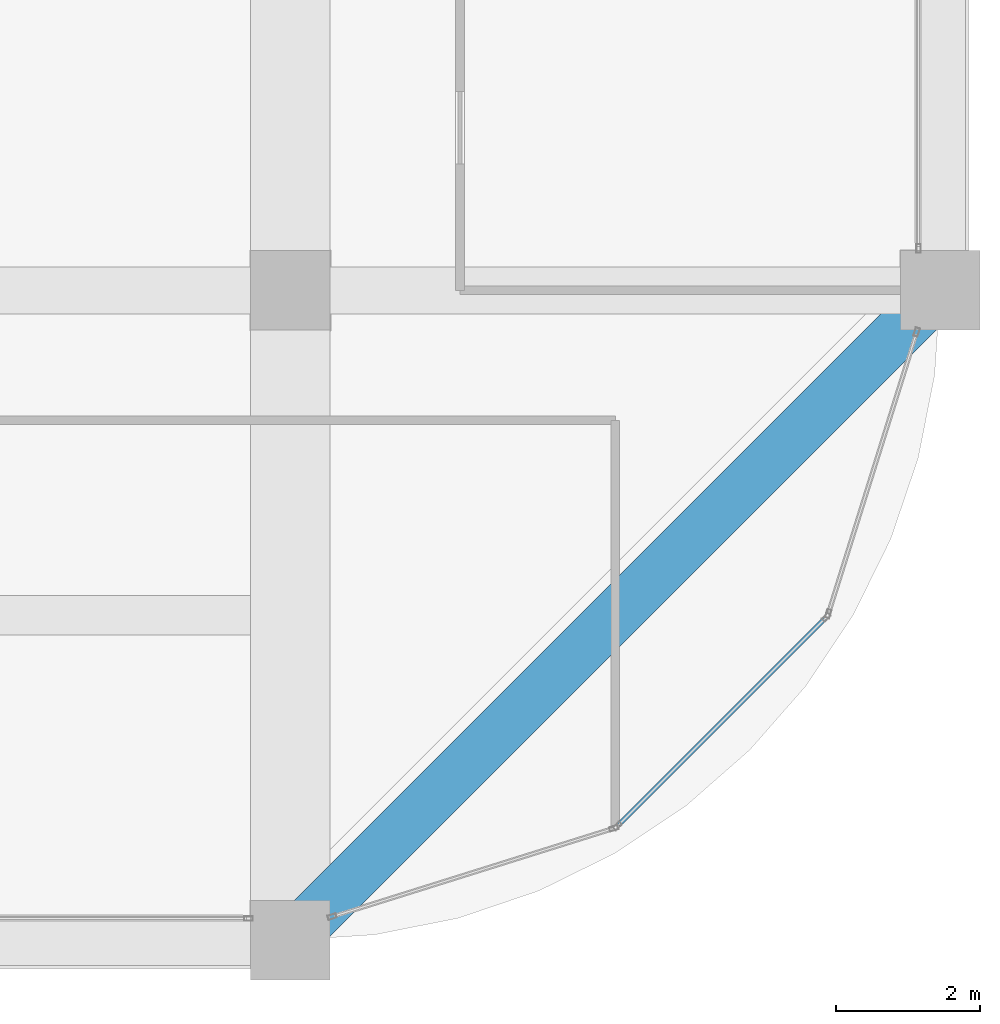
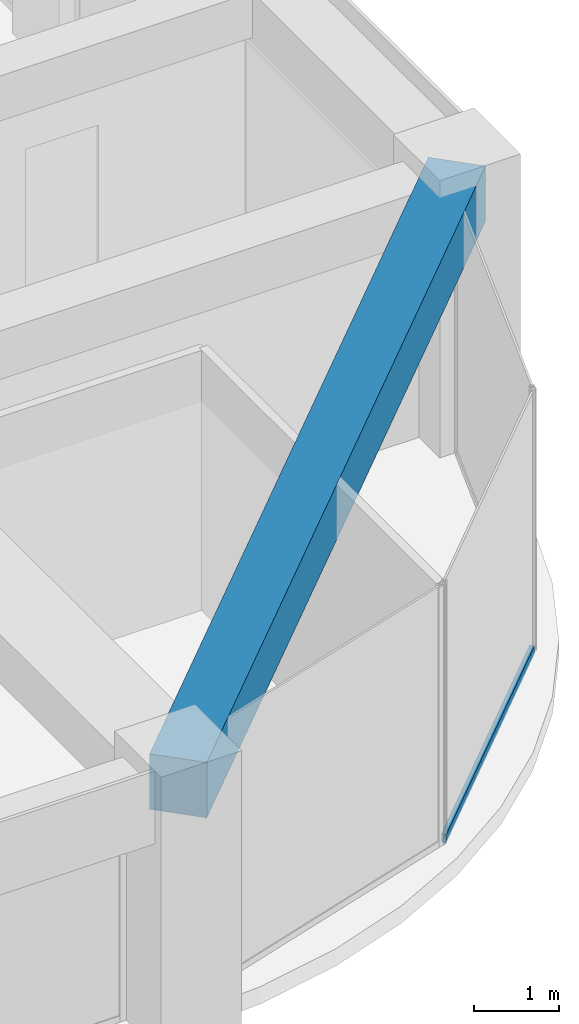
# One storey, part 19 of 44: 1 beam, 1 member, 1 element without a shape of its own.
"""IFC4 building model written with IfcOpenShell, lengths in metres."""

from ifc_helpers import new_model, si_unit, direction, frame, origin, origin_2d, place, context, subcontext, project, spatial, rectangle, hollow_rectangle, extrude, material, material_profile, profile_set, type_object, element, aggregate, save


model = new_model("IFC4")

# Units and contexts
model_context = context("Model", 3, precision=1e-05, world=origin(), true_north=direction((0.0, 1.0)))
body_context = subcontext(model_context, "Body", "Model", "MODEL_VIEW")
ifc_project = project(units=[si_unit("LENGTHUNIT", "METRE"), si_unit("AREAUNIT", "SQUARE_METRE"), si_unit("VOLUMEUNIT", "CUBIC_METRE"), si_unit("PLANEANGLEUNIT", "RADIAN"), si_unit("MASSUNIT", "GRAM", prefix="KILO")], contexts=[model_context])

# Site, building, storey
site_placement = place(None, origin())
site = spatial("IfcSite", under=ifc_project, at=site_placement, CompositionType="ELEMENT")
building_placement = place(site_placement, origin())
building = spatial("IfcBuilding", under=site, at=building_placement, Name="Zorevar Civic Tower", CompositionType="ELEMENT")
storey_placement = place(building_placement, frame((0.0, 0.0, 299.39990234375)))
storey = spatial("IfcBuildingStorey", under=building, at=storey_placement, Name="L73", CompositionType="ELEMENT", Elevation=299.39990234375)

# Curtain wall, member
ifc_material_1 = material(Name="Dark grey solar-control glass in black aluminium frame", Category="aluminium")
curtain_wall_type = type_object("IfcCurtainWallType", Name="Curtain wall CW5 top zone", PredefinedType="NOTDEFINED", material=ifc_material_1)
curtain_wall_placement = place(storey_placement, origin())
curtain_wall = element("IfcCurtainWall", 1, at=curtain_wall_placement, inside=storey, type_object=curtain_wall_type, Name="CW5 L73", PredefinedType="NOTDEFINED")
ifc_material_2 = material(Name="Aluminium, black anodised", Category="aluminium")
ifc_material_profile_1 = material_profile(ifc_material_2, hollow_rectangle(XDim=0.06005859375, YDim=0.1201171875, WallThickness=0.0029296875, at=origin_2d()), Name="AL 120x60x3")
ifc_profile_set_1 = profile_set([ifc_material_profile_1], Name="Aluminium, black anodised")
member_type = type_object("IfcMemberType", Name="CW5 transom AL 120x60x3", PredefinedType="USERDEFINED", material=ifc_profile_set_1)
member_placement = place(storey_placement, frame((49.55029296875, 1.6015625, 0.030029296875), z_axis=(0.707106781187, 0.707106781187, 0.0), x_axis=(-0.707106781187, 0.707106781187, 0.0)))
member = element("IfcMember", 2, at=member_placement, type_object=member_type, Name="CW5 sill transom", ObjectType="TRANSOM", PredefinedType="USERDEFINED", context=body_context, shape_type="SweptSolid", body=[
    extrude(hollow_rectangle(XDim=0.06005859375, YDim=0.1201171875, WallThickness=0.0029296875, at=origin_2d()), origin(), (0.0, 0.0, 1.0), 4.02783203125),
])
aggregate(curtain_wall, [member])

# Beam
ifc_material_3 = material(Name="Concrete C50/60", Category="concrete")
ifc_material_profile_2 = material_profile(ifc_material_3, rectangle(XDim=0.699951171875, YDim=0.800048828125, at=origin_2d()), Name="RC 700x800")
ifc_profile_set_2 = profile_set([ifc_material_profile_2], Name="Concrete C50/60")
beam_type = type_object("IfcBeamType", Name="Edge beam RC 700x800", PredefinedType="SPANDREL", material=ifc_profile_set_2)
beam_placement = place(storey_placement, frame((45.0, 0.0, 3.35009765625), z_axis=(0.707106781187, 0.707106781187, 0.0), x_axis=(-0.707106781187, 0.707106781187, 0.0)))
element("IfcBeam", 3, at=beam_placement, inside=storey, type_object=beam_type, Name="Corner edge beam L74", PredefinedType="SPANDREL", context=body_context, shape_type="SweptSolid", body=[
    extrude(rectangle(XDim=0.699951171875, YDim=0.800048828125, at=origin_2d()), origin(), (0.0, 0.0, 1.0), 12.72802734375),
])

save(model, "model.ifc")
